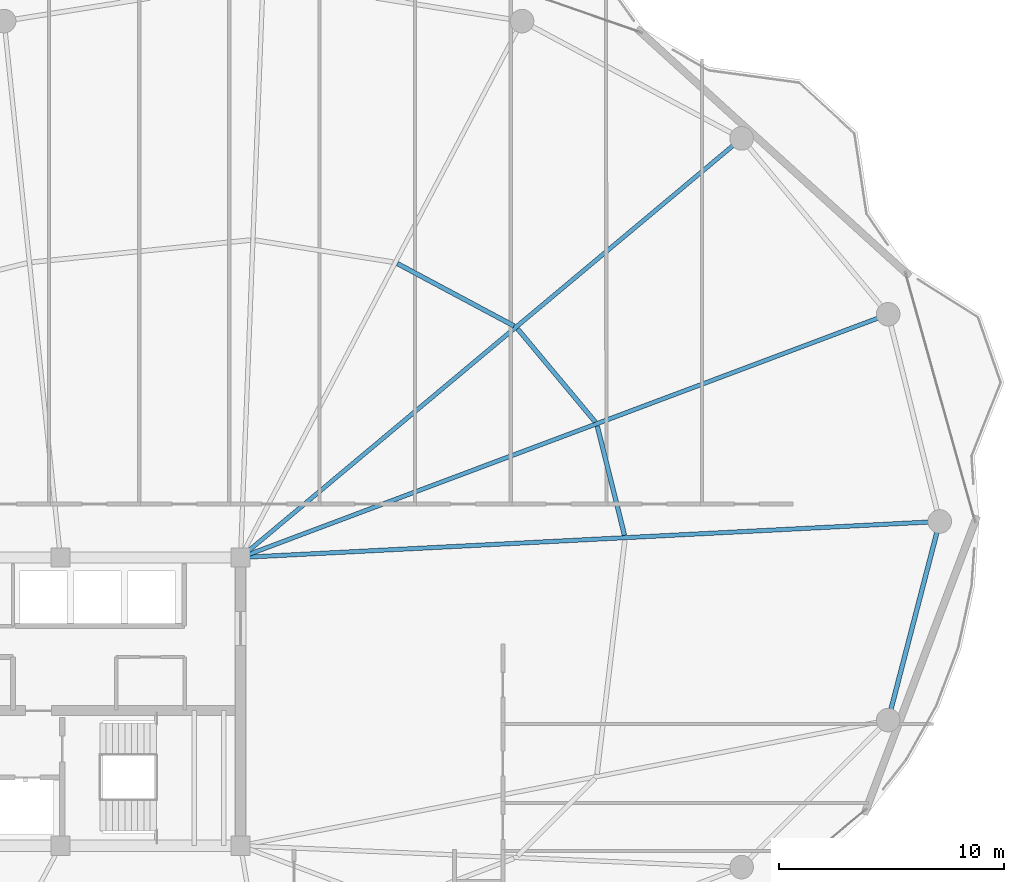
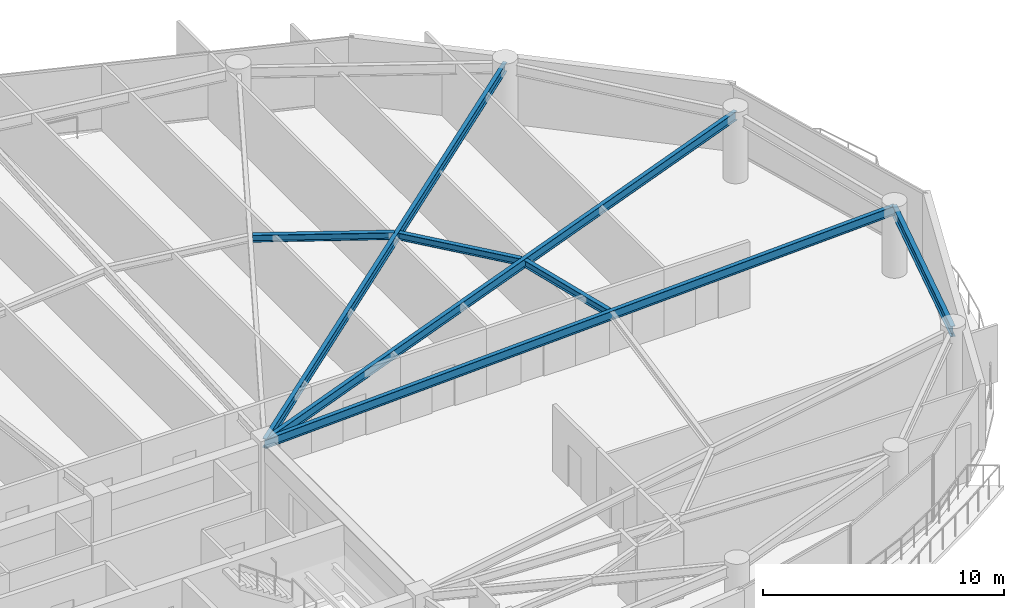
# One storey, part 14 of 29: 7 beams.
"""IFC4 building model written with IfcOpenShell, lengths in metres."""

from ifc_helpers import new_model, si_unit, direction, frame, origin, origin_2d, place, context, subcontext, project, spatial, i_section, extrude, material, material_profile, profile_set, type_object, element, save


model = new_model("IFC4")

# Units and contexts
model_context = context("Model", 3, precision=1e-05, world=origin(), true_north=direction((0.0, 1.0)))
body_context = subcontext(model_context, "Body", "Model", "MODEL_VIEW")
ifc_project = project(units=[si_unit("LENGTHUNIT", "METRE"), si_unit("AREAUNIT", "SQUARE_METRE"), si_unit("VOLUMEUNIT", "CUBIC_METRE"), si_unit("PLANEANGLEUNIT", "RADIAN"), si_unit("MASSUNIT", "GRAM", prefix="KILO")], contexts=[model_context])

# Site, building, storey
site_placement = place(None, origin())
site = spatial("IfcSite", under=ifc_project, at=site_placement, CompositionType="ELEMENT")
building_placement = place(site_placement, origin())
building = spatial("IfcBuilding", under=site, at=building_placement, Name="Kazevale Care Tower and Concert Hall", CompositionType="ELEMENT")
storey_placement = place(building_placement, frame((0.0, 0.0, 195.60009765625)))
storey = spatial("IfcBuildingStorey", under=building, at=storey_placement, Name="L51", CompositionType="ELEMENT", Elevation=195.60009765625)

# Beams
ifc_material = material(Name="Steel ASTM A572 Gr 50", Category="steel")
ifc_material_profile_1 = material_profile(ifc_material, i_section(OverallWidth=0.19091796875, OverallDepth=0.4599609375, WebThickness=0.010009765625, FlangeThickness=0.01611328125, at=origin_2d()), Name="W460x82")
ifc_profile_set_1 = profile_set([ifc_material_profile_1], Name="Steel ASTM A572 Gr 50")
beam_type_1 = type_object("IfcBeamType", Name="Radial Floor Beam W460x82", PredefinedType="BEAM", material=ifc_profile_set_1)
beam_1_placement = place(storey_placement, frame((44.0, 36.39990234375, 3.1298828125), z_axis=(0.998674821251, 0.051464564506, 0.0), x_axis=(-0.051464564506, 0.998674821251, 0.0)))
element("IfcBeam", 1, at=beam_1_placement, inside=storey, type_object=beam_type_1, Name="beam:L51:rad:01", PredefinedType="BEAM", context=body_context, shape_type="SweptSolid", body=[
    extrude(i_section(OverallWidth=0.19091796875, OverallDepth=0.4599609375, WebThickness=0.010009765625, FlangeThickness=0.01611328125, at=origin_2d()), origin(), (0.0, 0.0, 1.0), 31.09130859375),
])
beam_2_placement = place(storey_placement, frame((44.0, 36.39990234375, 3.1298828125), z_axis=(0.936168070124, 0.351552762015, 0.0), x_axis=(-0.351552762015, 0.936168070124, 0.0)))
element("IfcBeam", 2, at=beam_2_placement, inside=storey, type_object=beam_type_1, Name="beam:L51:rad:02", PredefinedType="BEAM", context=body_context, shape_type="SweptSolid", body=[
    extrude(i_section(OverallWidth=0.19091796875, OverallDepth=0.4599609375, WebThickness=0.010009765625, FlangeThickness=0.01611328125, at=origin_2d()), origin(), (0.0, 0.0, 1.0), 30.720947265625),
])
beam_3_placement = place(storey_placement, frame((44.0, 36.39990234375, 3.1298828125), z_axis=(0.767059624015, 0.64157582031, 0.0), x_axis=(-0.64157582031, 0.767059624015, 0.0)))
element("IfcBeam", 3, at=beam_3_placement, inside=storey, type_object=beam_type_1, Name="beam:L51:rad:03", PredefinedType="BEAM", context=body_context, shape_type="SweptSolid", body=[
    extrude(i_section(OverallWidth=0.19091796875, OverallDepth=0.4599609375, WebThickness=0.010009765625, FlangeThickness=0.01611328125, at=origin_2d()), origin(), (0.0, 0.0, 1.0), 29.0068359375),
])
ifc_material_profile_2 = material_profile(ifc_material, i_section(OverallWidth=0.205078125, OverallDepth=0.35400390625, WebThickness=0.009521484375, FlangeThickness=0.016845703125, at=origin_2d()), Name="W360x79")
ifc_profile_set_2 = profile_set([ifc_material_profile_2], Name="Steel ASTM A572 Gr 50")
beam_type_2 = type_object("IfcBeamType", Name="Secondary Floor Joist W360x79", PredefinedType="JOIST", material=ifc_profile_set_2)
beam_4_placement = place(storey_placement, frame((61.052001953125, 37.382080078125, 3.182861328125), z_axis=(-0.241594204931, 0.970377369967, 0.0), x_axis=(-0.970377369967, -0.241594204931, 0.0)))
element("IfcBeam", 4, at=beam_4_placement, inside=storey, type_object=beam_type_2, Name="beam:L51:joist:01", PredefinedType="JOIST", context=body_context, shape_type="SweptSolid", body=[
    extrude(i_section(OverallWidth=0.205078125, OverallDepth=0.35400390625, WebThickness=0.009521484375, FlangeThickness=0.016845703125, at=origin_2d()), origin(), (0.0, 0.0, 1.0), 5.004150390625),
])
beam_5_placement = place(storey_placement, frame((59.7509765625, 42.4208984375, 3.182861328125), z_axis=(-0.640295940788, 0.768128314939, 0.0), x_axis=(-0.768128314939, -0.640295940788, 0.0)))
element("IfcBeam", 5, at=beam_5_placement, inside=storey, type_object=beam_type_2, Name="beam:L51:joist:02", PredefinedType="JOIST", context=body_context, shape_type="SweptSolid", body=[
    extrude(i_section(OverallWidth=0.205078125, OverallDepth=0.35400390625, WebThickness=0.009521484375, FlangeThickness=0.016845703125, at=origin_2d()), origin(), (0.0, 0.0, 1.0), 5.3818359375),
])
beam_6_placement = place(storey_placement, frame((56.14501953125, 46.68505859375, 3.182861328125), z_axis=(-0.881943890935, 0.471354403016, 0.0), x_axis=(-0.471354403016, -0.881943890935, 0.0)))
element("IfcBeam", 6, at=beam_6_placement, inside=storey, type_object=beam_type_2, Name="beam:L51:joist:03", PredefinedType="JOIST", context=body_context, shape_type="SweptSolid", body=[
    extrude(i_section(OverallWidth=0.205078125, OverallDepth=0.35400390625, WebThickness=0.009521484375, FlangeThickness=0.016845703125, at=origin_2d()), origin(), (0.0, 0.0, 1.0), 5.869873046875),
])
ifc_material_profile_3 = material_profile(ifc_material, i_section(OverallWidth=0.208984375, OverallDepth=0.532958984375, WebThickness=0.01025390625, FlangeThickness=0.015625, at=origin_2d()), Name="W530x92")
ifc_profile_set_3 = profile_set([ifc_material_profile_3], Name="Steel ASTM A572 Gr 50")
beam_type_3 = type_object("IfcBeamType", Name="Upper Ring Beam W530x92", PredefinedType="BEAM", material=ifc_profile_set_3)
beam_7_placement = place(storey_placement, frame((72.760009765625, 29.179931640625, 3.093505859375), z_axis=(0.251307095899, 0.96790740443, 0.0), x_axis=(-0.96790740443, 0.251307095899, 0.0)))
element("IfcBeam", 7, at=beam_7_placement, inside=storey, type_object=beam_type_3, Name="beam:L51:ring:16", PredefinedType="BEAM", context=body_context, shape_type="SweptSolid", body=[
    extrude(i_section(OverallWidth=0.208984375, OverallDepth=0.532958984375, WebThickness=0.01025390625, FlangeThickness=0.015625, at=origin_2d()), origin(), (0.0, 0.0, 1.0), 9.112548828125),
])

save(model, "model.ifc")
